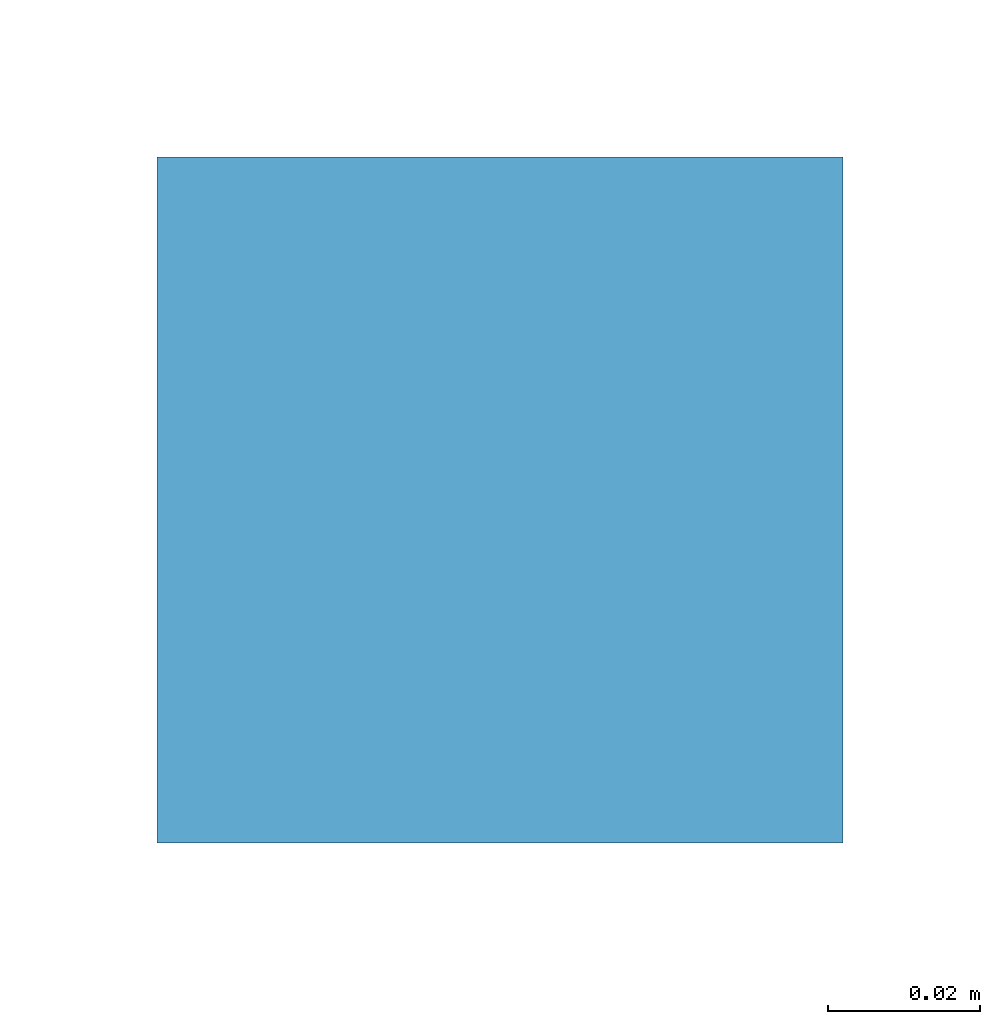
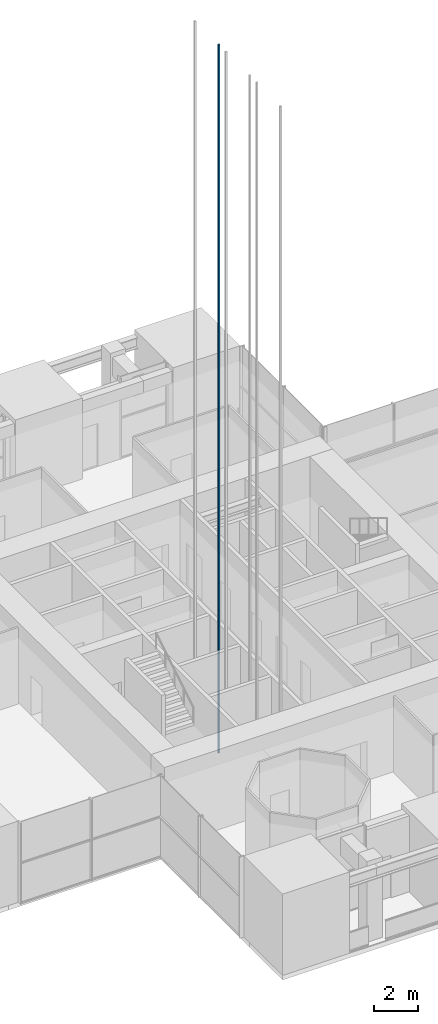
# One storey, part 12 of 17: 1 discrete accessory.
"""IFC4 building model written with IfcOpenShell, lengths in metres."""

from ifc_helpers import new_model, si_unit, direction, frame, origin, origin_2d, place, context, subcontext, project, spatial, rectangle, extrude, element, save


model = new_model("IFC4")

# Units and contexts
model_context = context("Model", 3, precision=1e-05, world=origin(), true_north=direction((0.0, 1.0)))
body_context = subcontext(model_context, "Body", "Model", "MODEL_VIEW")
ifc_project = project(units=[si_unit("LENGTHUNIT", "METRE"), si_unit("AREAUNIT", "SQUARE_METRE"), si_unit("VOLUMEUNIT", "CUBIC_METRE"), si_unit("PLANEANGLEUNIT", "RADIAN"), si_unit("MASSUNIT", "GRAM", prefix="KILO")], contexts=[model_context])

# Site, building, storey
site_placement = place(None, origin())
site = spatial("IfcSite", under=ifc_project, at=site_placement, CompositionType="ELEMENT")
building_placement = place(site_placement, origin())
building = spatial("IfcBuilding", under=site, at=building_placement, Name="Svetlomir Tower", CompositionType="ELEMENT")
storey_placement = place(building_placement, frame((0.0, 0.0, 239.5)))
storey = spatial("IfcBuildingStorey", under=building, at=storey_placement, Name="L57", CompositionType="ELEMENT", Elevation=239.5)

# Discrete accessory
discrete_accessory_placement = place(storey_placement, frame((18.300048828125, 18.425048828125, -1.39990234375), z_axis=(0.0, 0.0, 1.0), x_axis=(1.0, 0.0, 0.0)))
element("IfcDiscreteAccessory", 1, at=discrete_accessory_placement, inside=storey, Name="Lift LD3 guide rail 1", ObjectType="LIFT GUIDE RAIL", PredefinedType="USERDEFINED", context=body_context, shape_type="SweptSolid", body=[
    extrude(rectangle(XDim=0.090087890625, YDim=0.090087890625, at=origin_2d()), origin(), (0.0, 0.0, 1.0), 39.199951171875),
])

save(model, "model.ifc")
